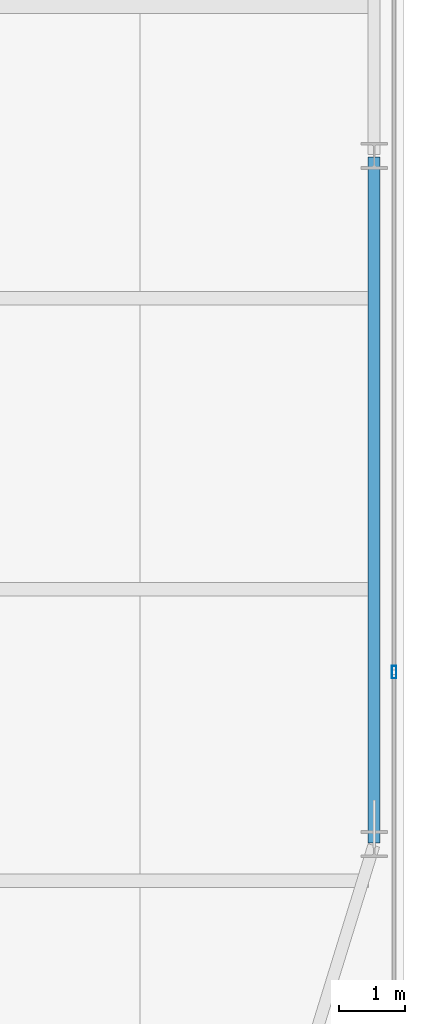
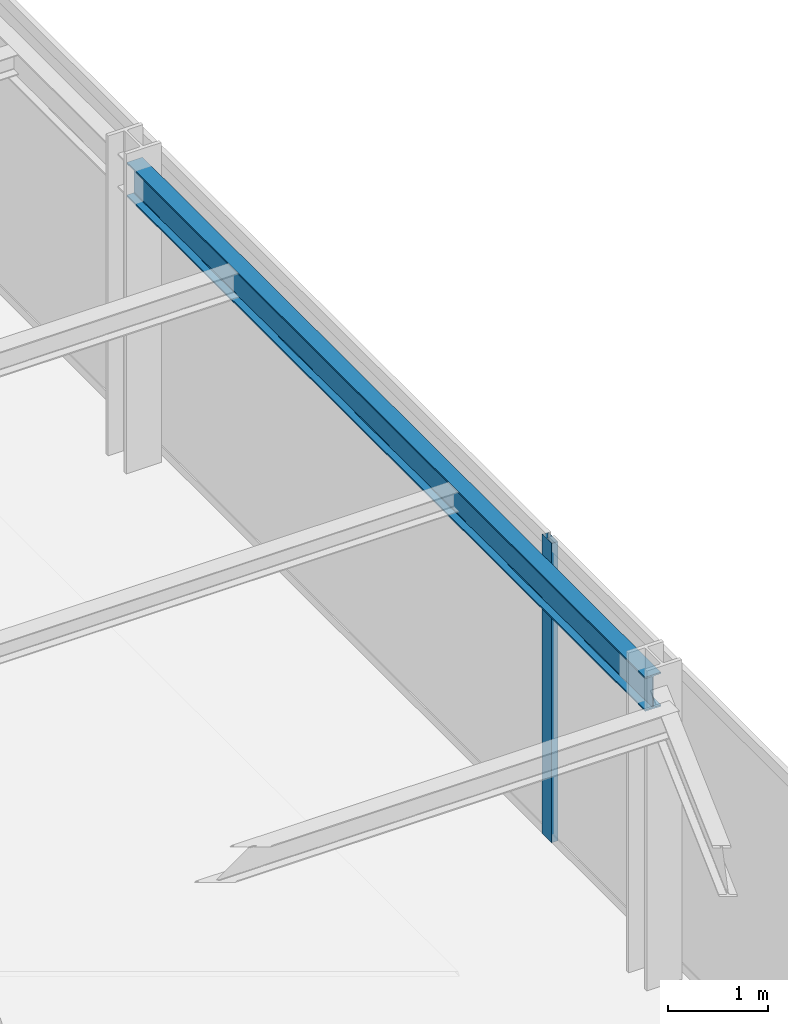
# One storey, part 16 of 31: 1 beam, 1 member, 1 element without a shape of its own.
"""IFC4 building model written with IfcOpenShell, lengths in metres."""

from ifc_helpers import new_model, si_unit, direction, frame, origin, origin_2d, place, context, subcontext, project, spatial, hollow_rectangle, i_section, extrude, source, transform, mapped, material, layer, layer_set, material_profile, profile_set, type_object, type_shapes, element, aggregate, save


model = new_model("IFC4")

# Units and contexts
model_context = context("Model", 3, precision=1e-05, world=origin(), true_north=direction((0.0, 1.0)))
body_context = subcontext(model_context, "Body", "Model", "MODEL_VIEW")
ifc_project = project(units=[si_unit("LENGTHUNIT", "METRE"), si_unit("AREAUNIT", "SQUARE_METRE"), si_unit("VOLUMEUNIT", "CUBIC_METRE"), si_unit("PLANEANGLEUNIT", "RADIAN"), si_unit("MASSUNIT", "GRAM", prefix="KILO")], contexts=[model_context])

# Site, building, storey
site_placement = place(None, origin())
site = spatial("IfcSite", under=ifc_project, at=site_placement, CompositionType="ELEMENT")
building_placement = place(site_placement, origin())
building = spatial("IfcBuilding", under=site, at=building_placement, Name="Varnel Quay Broadcast Tower", CompositionType="ELEMENT")
storey_placement = place(building_placement, frame((0.0, 0.0, 39.300048828125)))
storey = spatial("IfcBuildingStorey", under=building, at=storey_placement, Name="L08", CompositionType="ELEMENT", Elevation=39.300048828125)

# Beam
ifc_material_1 = material(Name="Structural Steel CSA G40.21 350W", Category="steel")
ifc_material_profile_1 = material_profile(ifc_material_1, i_section(OverallWidth=0.180908203125, OverallDepth=0.4169921875, WebThickness=0.010986328125, FlangeThickness=0.018310546875, FilletRadius=0.011962890625, at=origin_2d()), Name="W410X85")
ifc_profile_set_1 = profile_set([ifc_material_profile_1], Name="Structural Steel CSA G40.21 350W")
beam_type = type_object("IfcBeamType", Name="Beam_W410X85", PredefinedType="SPANDREL", material=ifc_profile_set_1)
shared_shape_1 = source(origin(), body_context, "Body", "SweptSolid", [
    extrude(i_section(OverallWidth=0.180908203125, OverallDepth=0.4169921875, WebThickness=0.010986328125, FlangeThickness=0.018310546875, FilletRadius=0.011962890625, at=origin_2d()), origin(), (0.0, 0.0, 1.0), 10.35986328125),
])
type_shapes(beam_type, [shared_shape_1])
beam_placement = place(storey_placement, frame((65.550048828125, 15.02001953125, 3.44140625), z_axis=(0.0, 1.0, 0.0), x_axis=(-1.0, 0.0, 0.0)))
element("IfcBeam", 1, at=beam_placement, inside=storey, type_object=beam_type, Name="L08 East Spandrel TC-E1-TC-E2", PredefinedType="SPANDREL", context=body_context, shape_type="MappedRepresentation", body=[
    mapped(shared_shape_1, transform((0.0, 0.0, 0.0), x_axis=(1.0, 0.0, 0.0), y_axis=(0.0, 1.0, 0.0), z_axis=(0.0, 0.0, 1.0), scale=1.0)),
])

# Curtain wall, member
ifc_material_2 = material(Name="Anodised Bronze Aluminium 6063-T6", Category="aluminium")
ifc_layer = layer(ifc_material_2, 0.18994140625, Name="Anodised Bronze Aluminium 6063-T6")
ifc_layer_set = layer_set([ifc_layer], Name="Anodised Bronze Aluminium 6063-T6")
curtain_wall_type = type_object("IfcCurtainWallType", Name="CW_LowerTower", PredefinedType="NOTDEFINED", material=ifc_layer_set)
curtain_wall_placement = place(storey_placement, origin())
curtain_wall = element("IfcCurtainWall", 2, at=curtain_wall_placement, inside=storey, type_object=curtain_wall_type, Name="L08 East Unitised Curtain Wall", PredefinedType="NOTDEFINED")
ifc_material_profile_2 = material_profile(ifc_material_2, hollow_rectangle(XDim=0.070068359375, YDim=0.18994140625, WallThickness=0.00390625, at=origin_2d()), Name="ALU70X190X4")
ifc_profile_set_2 = profile_set([ifc_material_profile_2], Name="Anodised Bronze Aluminium 6063-T6")
member_type = type_object("IfcMemberType", Name="Mull_CWS-02", PredefinedType="MULLION", material=ifc_profile_set_2)
shared_shape_2 = source(origin(), body_context, "Body", "SweptSolid", [
    extrude(hollow_rectangle(XDim=0.070068359375, YDim=0.18994140625, WallThickness=0.00390625, at=origin_2d()), origin(), (0.0, 0.0, 1.0), 3.64990234375),
])
type_shapes(member_type, [shared_shape_2])
member_placement = place(storey_placement, frame((65.85009765625, 17.60009765625, 0.0), z_axis=(0.0, 0.0, 1.0), x_axis=(-1.0, 0.0, 0.0)))
member = element("IfcMember", 3, at=member_placement, type_object=member_type, Name="CWS-02 mullion 2", PredefinedType="MULLION", context=body_context, shape_type="MappedRepresentation", body=[
    mapped(shared_shape_2, transform((0.0, 0.0, 0.0), x_axis=(1.0, 0.0, 0.0), y_axis=(0.0, 1.0, 0.0), z_axis=(0.0, 0.0, 1.0), scale=1.0)),
])
aggregate(curtain_wall, [member])

save(model, "model.ifc")
